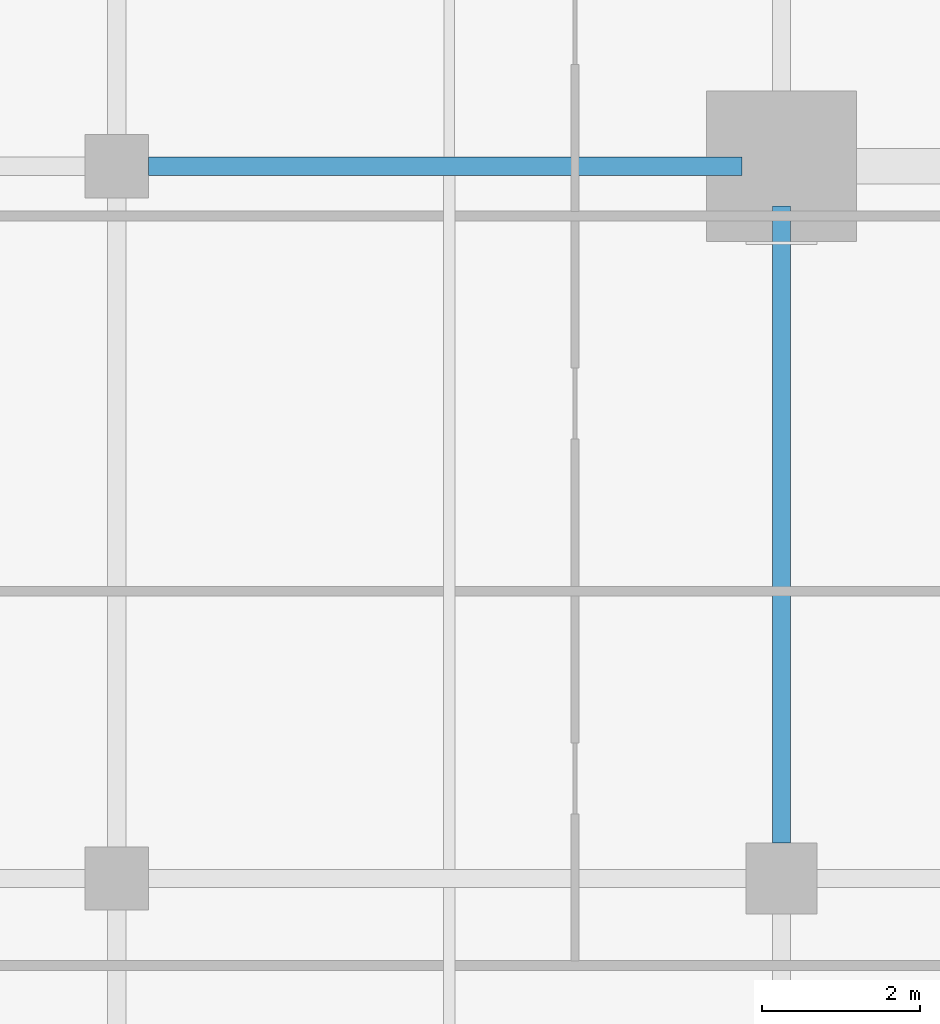
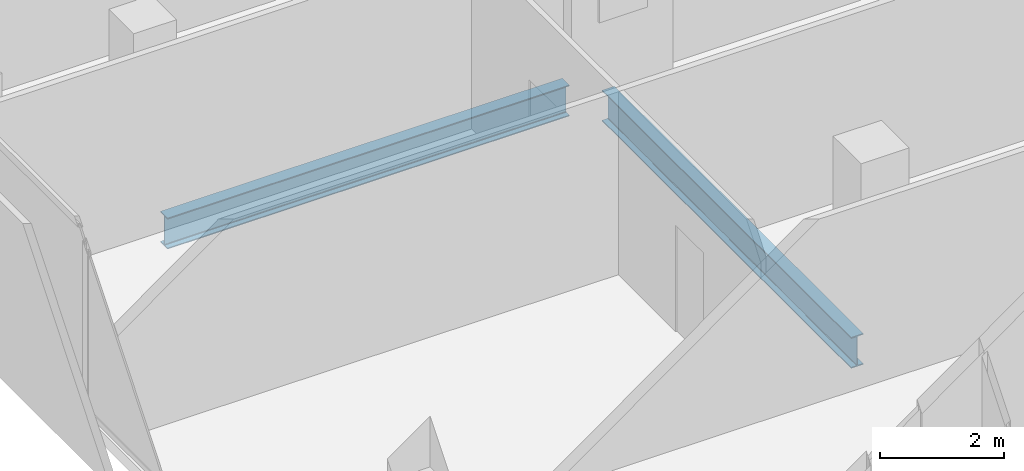
# One storey, part 9 of 34: 2 beams.
"""IFC4 building model written with IfcOpenShell, lengths in metres."""

from ifc_helpers import new_model, si_unit, direction, frame, origin, origin_2d, place, context, subcontext, project, spatial, i_section, extrude, material, material_profile, profile_set, type_object, element, save


model = new_model("IFC4")

# Units and contexts
model_context = context("Model", 3, precision=1e-05, world=origin(), true_north=direction((0.0, 1.0)))
body_context = subcontext(model_context, "Body", "Model", "MODEL_VIEW")
ifc_project = project(units=[si_unit("LENGTHUNIT", "METRE"), si_unit("AREAUNIT", "SQUARE_METRE"), si_unit("VOLUMEUNIT", "CUBIC_METRE"), si_unit("PLANEANGLEUNIT", "RADIAN"), si_unit("MASSUNIT", "GRAM", prefix="KILO")], contexts=[model_context])

# Site, building, storey
site_placement = place(None, origin())
site = spatial("IfcSite", under=ifc_project, at=site_placement, CompositionType="ELEMENT")
building_placement = place(site_placement, origin())
building = spatial("IfcBuilding", under=site, at=building_placement, Name="Maruvema Waterfront Hotel and Observation Tower", CompositionType="ELEMENT")
storey_placement = place(building_placement, frame((0.0, 0.0, 146.64990234375)))
storey = spatial("IfcBuildingStorey", under=building, at=storey_placement, Name="L35", CompositionType="ELEMENT", Elevation=146.64990234375)

# Beams
ifc_material = material(Name="Steel ASTM A572 Grade 50", Category="steel")
ifc_material_profile = material_profile(ifc_material, i_section(OverallWidth=0.22900390625, OverallDepth=0.612060546875, WebThickness=0.011962890625, FlangeThickness=0.01953125, FilletRadius=0.01806640625, at=origin_2d()), Name="W610x125.0")
ifc_profile_set = profile_set([ifc_material_profile], Name="Steel ASTM A572 Grade 50")
beam_type = type_object("IfcBeamType", Name="Primary Floor Girder W610x125.0", PredefinedType="BEAM", material=ifc_profile_set)
beam_1_placement = place(storey_placement, frame((17.199951171875, 27.0, -0.5458984375), z_axis=(1.0, 0.0, 0.0), x_axis=(0.0, 1.0, 0.0)))
element("IfcBeam", 1, at=beam_1_placement, inside=storey, type_object=beam_type, Name="L35 Floor Girder EW-19", PredefinedType="BEAM", context=body_context, shape_type="SweptSolid", body=[
    extrude(i_section(OverallWidth=0.22900390625, OverallDepth=0.612060546875, WebThickness=0.011962890625, FlangeThickness=0.01953125, FilletRadius=0.01806640625, at=origin_2d()), origin(), (0.0, 0.0, 1.0), 7.5),
])
beam_2_placement = place(storey_placement, frame((25.199951171875, 18.449951171875, -0.5458984375), z_axis=(0.0, 1.0, 0.0), x_axis=(-1.0, 0.0, 0.0)))
element("IfcBeam", 2, at=beam_2_placement, inside=storey, type_object=beam_type, Name="L35 Floor Girder NS-11", PredefinedType="BEAM", context=body_context, shape_type="SweptSolid", body=[
    extrude(i_section(OverallWidth=0.22900390625, OverallDepth=0.612060546875, WebThickness=0.011962890625, FlangeThickness=0.01953125, FilletRadius=0.01806640625, at=origin_2d()), origin(), (0.0, 0.0, 1.0), 8.050048828125),
])

save(model, "model.ifc")
